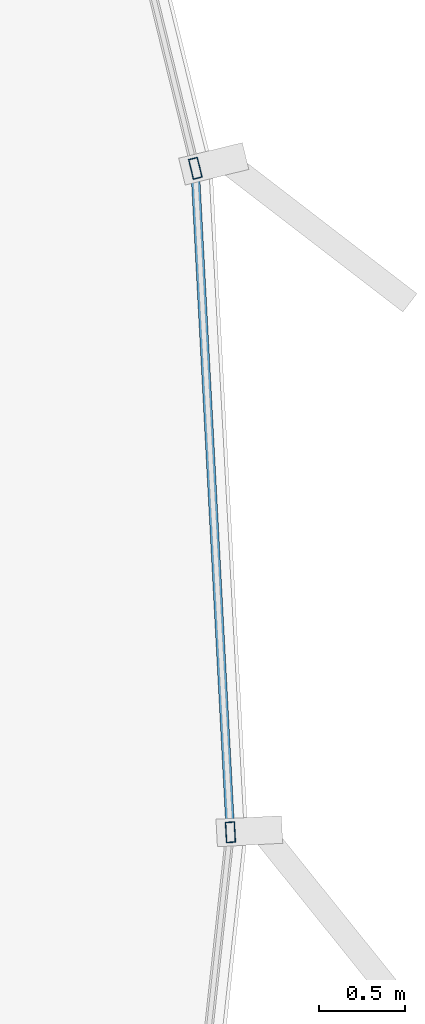
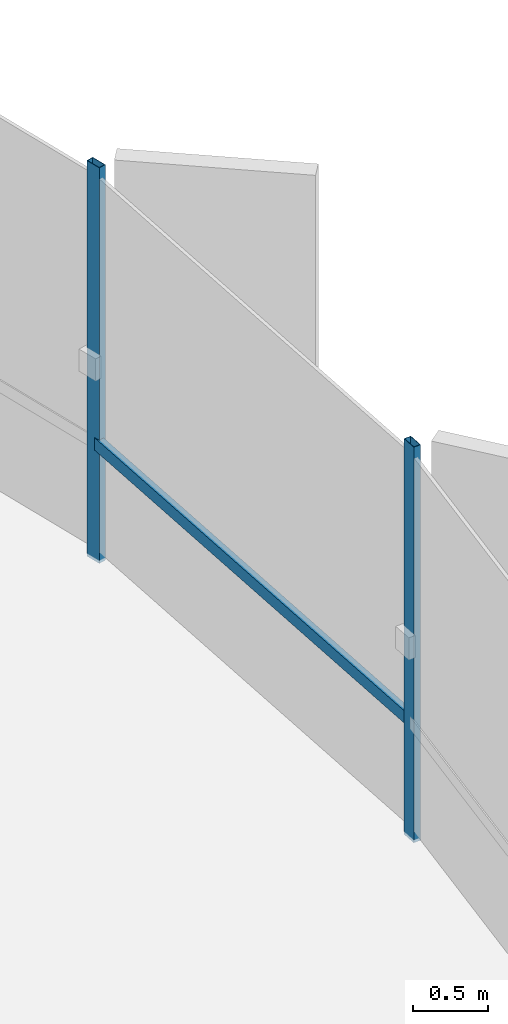
# One storey, part 18 of 36: 3 members, 1 element without a shape of its own.
"""IFC4 building model written with IfcOpenShell, lengths in metres."""

from ifc_helpers import new_model, si_unit, direction, frame, origin, origin_2d, place, context, subcontext, project, spatial, hollow_rectangle, extrude, source, transform, mapped, material, layer, layer_set, material_profile, profile_set, type_object, element, aggregate, save


model = new_model("IFC4")

# Units and contexts
model_context = context("Model", 3, precision=1e-05, world=origin(), true_north=direction((0.0, 1.0)))
body_context = subcontext(model_context, "Body", "Model", "MODEL_VIEW")
ifc_project = project(units=[si_unit("LENGTHUNIT", "METRE"), si_unit("AREAUNIT", "SQUARE_METRE"), si_unit("VOLUMEUNIT", "CUBIC_METRE"), si_unit("PLANEANGLEUNIT", "RADIAN"), si_unit("MASSUNIT", "GRAM", prefix="KILO"), si_unit("THERMODYNAMICTEMPERATUREUNIT", "KELVIN")], contexts=[model_context])

# Site, building, storey
site_placement = place(None, origin())
site = spatial("IfcSite", under=ifc_project, at=site_placement, CompositionType="ELEMENT")
building_placement = place(site_placement, origin())
building = spatial("IfcBuilding", under=site, at=building_placement, Name="Kethvar Cultural Tower", CompositionType="ELEMENT")
storey_placement = place(building_placement, frame((0.0, 0.0, 228.39990234375)))
storey = spatial("IfcBuildingStorey", under=building, at=storey_placement, Name="L59", CompositionType="ELEMENT", Elevation=228.39990234375)

# Curtain wall, members
ifc_material = material(Name="Aluminium 6063-T6", Category="aluminium")
ifc_layer = layer(ifc_material, 0.179931640625, Name="Aluminium 6063-T6", Category="aluminium")
ifc_layer_set = layer_set([ifc_layer], Name="Aluminium 6063-T6 (180 mm)")
curtain_wall_type = type_object("IfcCurtainWallType", Name="CW-SYS-05-Z56", PredefinedType="NOTDEFINED", material=ifc_layer_set)
curtain_wall_placement = place(storey_placement, origin())
curtain_wall = element("IfcCurtainWall", 1, at=curtain_wall_placement, inside=storey, type_object=curtain_wall_type, Name="L59 Curtain Wall Run 06", PredefinedType="NOTDEFINED")
ifc_material_profile_1 = material_profile(ifc_material, hollow_rectangle(XDim=0.054931640625, YDim=0.1201171875, WallThickness=0.00390625, at=origin_2d()), Name="Aluminium 6063-T6 — RHS120x55x4")
ifc_profile_set_1 = profile_set([ifc_material_profile_1], Name="Aluminium 6063-T6 — RHS120x55x4")
member_type_1 = type_object("IfcMemberType", Name="CW-SYS-05-Z56-MUL", PredefinedType="MULLION", material=ifc_profile_set_1)
shared_shape_1 = source(origin(), body_context, "Body", "SweptSolid", [
    extrude(hollow_rectangle(XDim=0.054931640625, YDim=0.1201171875, WallThickness=0.00390625, at=origin_2d()), origin(), (0.0, 0.0, 1.0), 3.210205078125),
])
member_1_placement = place(storey_placement, frame((68.718505859375, 33.547607421875, 0.0), z_axis=(0.0, 0.0, 1.0), x_axis=(-0.998582553976, -0.053224833435, 0.0)))
member_1 = element("IfcMember", 2, at=member_1_placement, type_object=member_type_1, Name="CW-L59-R06 Mullion 3", PredefinedType="MULLION", context=body_context, shape_type="MappedRepresentation", body=[
    mapped(shared_shape_1, transform((0.0, 0.0, 0.0), scale=1.0)),
])
member_2_placement = place(storey_placement, frame((68.514892578125, 37.39990234375, 0.0), z_axis=(0.0, 0.0, 1.0), x_axis=(-0.971205011464, -0.238245305742, 0.0)))
member_2 = element("IfcMember", 3, at=member_2_placement, type_object=member_type_1, Name="CW-L59-R06 Mullion 4", PredefinedType="MULLION", context=body_context, shape_type="MappedRepresentation", body=[
    mapped(shared_shape_1, transform((0.0, 0.0, 0.0), scale=1.0)),
])
ifc_material_profile_2 = material_profile(ifc_material, hollow_rectangle(XDim=0.050048828125, YDim=0.10009765625, WallThickness=0.00390625, at=origin_2d()), Name="Aluminium 6063-T6 — RHS100x50x4")
ifc_profile_set_2 = profile_set([ifc_material_profile_2], Name="Aluminium 6063-T6 — RHS100x50x4")
member_type_2 = type_object("IfcMemberType", Name="CW-SYS-05-Z56-TRN", PredefinedType="USERDEFINED", material=ifc_profile_set_2)
shared_shape_2 = source(origin(), body_context, "Body", "SweptSolid", [
    extrude(hollow_rectangle(XDim=0.050048828125, YDim=0.10009765625, WallThickness=0.00390625, at=origin_2d()), origin(), (0.0, 0.0, 1.0), 3.796875),
])
member_3_placement = place(storey_placement, frame((68.71630859375, 33.587158203125, 0.9501953125), z_axis=(-0.053176426588, 0.998585132903, 0.0), x_axis=(-0.998585132903, -0.053176426588, 0.0)))
member_3 = element("IfcMember", 4, at=member_3_placement, type_object=member_type_2, Name="CW-L59-R06 Transom 3", ObjectType="TRANSOM", PredefinedType="USERDEFINED", context=body_context, shape_type="MappedRepresentation", body=[
    mapped(shared_shape_2, transform((0.0, 0.0, 0.0), scale=1.0)),
])
aggregate(curtain_wall, [member_1, member_2, member_3])

save(model, "model.ifc")
